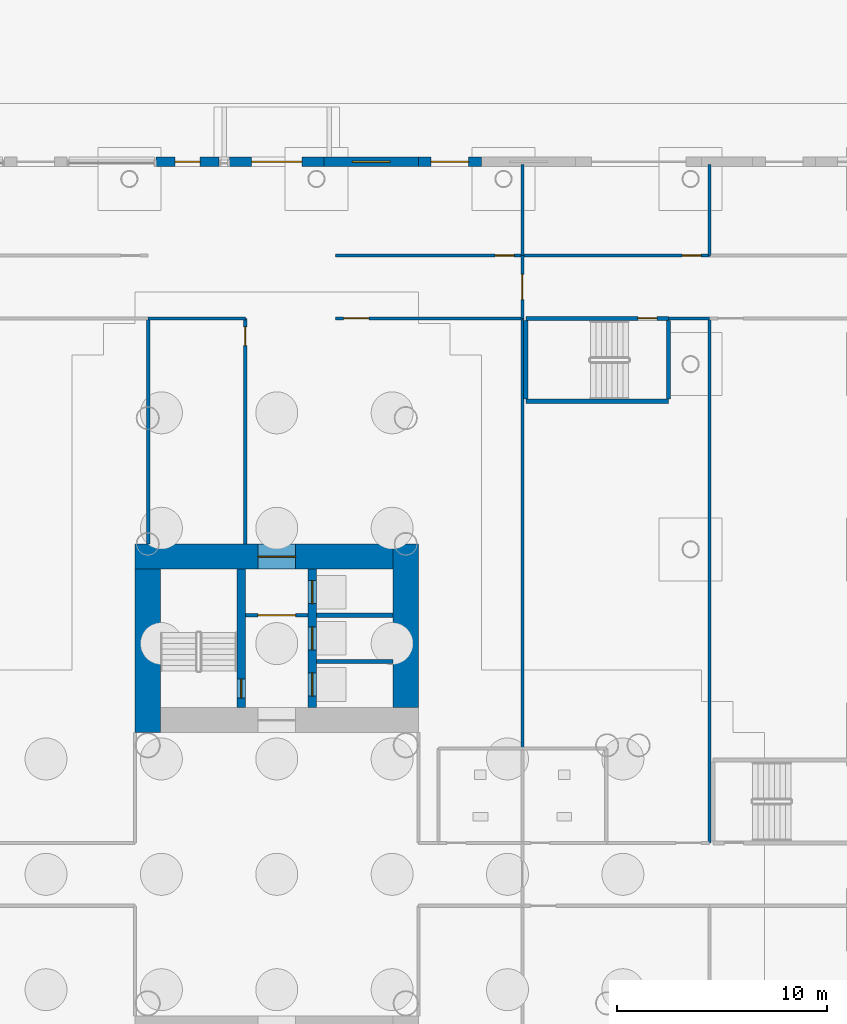
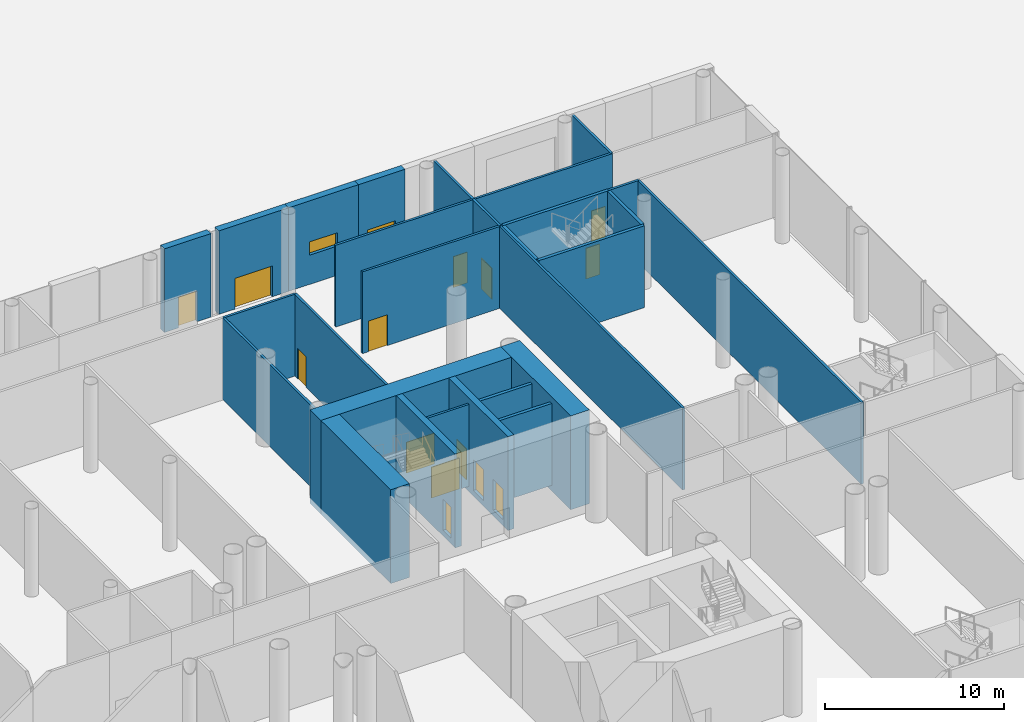
# One storey, part 36 of 75: 28 walls, 15 doors, 1 window, 16 openings.
"""IFC4 building model written with IfcOpenShell, lengths in metres."""

from ifc_helpers import new_model, si_unit, direction, frame, frame_2d, origin, place, context, subcontext, project, spatial, rectangle, extrude, material, layer, layer_set, type_object, element, fill, save


model = new_model("IFC4")

# Units and contexts
model_context = context("Model", 3, precision=1e-05, world=origin(), true_north=direction((0.0, 1.0)))
body_context = subcontext(model_context, "Body", "Model", "MODEL_VIEW")
ifc_project = project(units=[si_unit("LENGTHUNIT", "METRE"), si_unit("AREAUNIT", "SQUARE_METRE"), si_unit("VOLUMEUNIT", "CUBIC_METRE"), si_unit("PLANEANGLEUNIT", "RADIAN"), si_unit("MASSUNIT", "GRAM", prefix="KILO")], contexts=[model_context])

# Site, building, storey
site_placement = place(None, origin())
site = spatial("IfcSite", under=ifc_project, at=site_placement, CompositionType="ELEMENT")
building_placement = place(site_placement, origin())
building = spatial("IfcBuilding", under=site, at=building_placement, Name="Ipe Terrace Towers", CompositionType="ELEMENT")
storey_placement = place(building_placement, origin())
storey = spatial("IfcBuildingStorey", under=building, at=storey_placement, Name="L00", CompositionType="ELEMENT", Elevation=0.0)

# Wall, opening, door
ifc_material_1 = material(Name="Gypsum board partition", Category="plasterboard")
ifc_layer_1 = layer(ifc_material_1, 0.14990234375)
ifc_layer_set_1 = layer_set([ifc_layer_1], Name="Gypsum board partition 150 mm")
wall_type_1 = type_object("IfcWallType", Name="Gypsum board partition 150 mm", PredefinedType="PARTITIONING", material=ifc_layer_set_1)
wall_1_placement = place(storey_placement, frame((37.5, 12.35009765625, 0.0), z_axis=(0.0, 0.0, 1.0), x_axis=(-1.0, 0.0, 0.0)))
wall_1 = element("IfcWall", 1, at=wall_1_placement, inside=storey, type_object=wall_type_1, Name="Gypsum board partition T2 L00 t2c1-lobby-wall", PredefinedType="PARTITIONING", context=body_context, shape_type="SweptSolid", body=[
    extrude(rectangle(XDim=3.0, YDim=0.14990234375, at=frame_2d((1.5, 0.0))), origin(), (0.0, 0.0, 1.0), 5.580078125),
])
opening_1_placement = place(wall_1_placement, frame((0.60009765625, 0.0, 0.0)))
opening_1 = element("IfcOpeningElement", 2, at=opening_1_placement, cuts=wall_1, Name="Opening T2C1-VD", PredefinedType="OPENING", context=body_context, shape_type="SweptSolid", body=[
    extrude(rectangle(XDim=1.800048828125, YDim=2.10009765625, at=frame_2d((0.89990234375, 1.050048828125))), frame((0.0, 0.0849609375, 0.0), z_axis=(0.0, -1.0, 0.0), x_axis=(1.0, 0.0, 0.0)), (0.0, 0.0, 1.0), 0.169921875),
])
ifc_material_2 = material(Name="Fire-rated timber door leaf", Category="wood")
door_type_1 = type_object("IfcDoorType", Name="Lobby door 1800 x 2100 FD60", OperationType="NOTDEFINED", PredefinedType="DOOR", material=ifc_material_2)
door_1_placement = place(opening_1_placement, origin())
door_1 = element("IfcDoor", 3, at=door_1_placement, inside=storey, type_object=door_type_1, Name="Lobby door T2C1-VD", OperationType="SINGLE_SWING_LEFT", OverallHeight=2.10009765625, OverallWidth=1.800048828125, PredefinedType="DOOR", context=body_context, shape_type="SweptSolid", body=[
    extrude(rectangle(XDim=1.800048828125, YDim=2.10009765625, at=frame_2d((0.89990234375, 1.050048828125))), frame((0.0, 0.02490234375, 0.0), z_axis=(0.0, -1.0, 0.0), x_axis=(1.0, 0.0, 0.0)), (0.0, 0.0, 1.0), 0.050048828125),
])
fill(opening_1, door_1)

# Wall
wall_2_placement = place(storey_placement, frame((29.8701171875, 26.5, 0.0), z_axis=(0.0, 0.0, 1.0), x_axis=(0.0, -1.0, 0.0)))
element("IfcWall", 4, at=wall_2_placement, inside=storey, type_object=wall_type_1, Name="Gypsum board partition T2 L00 pd-r41-r46-w37", PredefinedType="PARTITIONING", context=body_context, shape_type="SweptSolid", body=[
    extrude(rectangle(XDim=10.75, YDim=0.14990234375, at=frame_2d((5.375, 0.0))), origin(), (0.0, 0.0, 1.0), 5.580078125),
])

# Wall, opening, door
wall_3_placement = place(storey_placement, frame((34.5, 26.5, 0.0), z_axis=(0.0, 0.0, 1.0), x_axis=(0.0, -1.0, 0.0)))
wall_3 = element("IfcWall", 5, at=wall_3_placement, inside=storey, type_object=wall_type_1, Name="Gypsum board partition T2 L00 pd-r46-w45", PredefinedType="PARTITIONING", context=body_context, shape_type="SweptSolid", body=[
    extrude(rectangle(XDim=10.75, YDim=0.14990234375, at=frame_2d((5.375, 0.0))), origin(), (0.0, 0.0, 1.0), 5.580078125),
])
opening_2_placement = place(wall_3_placement, frame((0.39990234375, 0.0, 0.0)))
opening_2 = element("IfcOpeningElement", 6, at=opening_2_placement, cuts=wall_3, Name="Opening PD-L00-r46", PredefinedType="OPENING", context=body_context, shape_type="SweptSolid", body=[
    extrude(rectangle(XDim=0.89990234375, YDim=2.10009765625, at=frame_2d((0.449951171875, 1.050048828125))), frame((0.0, 0.0849609375, 0.0), z_axis=(0.0, -1.0, 0.0), x_axis=(1.0, 0.0, 0.0)), (0.0, 0.0, 1.0), 0.169921875),
])
ifc_material_3 = material(Name="Fire-rated timber door leaf", Category="wood")
door_type_2 = type_object("IfcDoorType", Name="Lounge door 900 x 2100 FD30S", OperationType="NOTDEFINED", PredefinedType="DOOR", material=ifc_material_3)
door_2_placement = place(opening_2_placement, origin())
door_2 = element("IfcDoor", 7, at=door_2_placement, inside=storey, type_object=door_type_2, Name="Lounge door PD-L00-r46", OperationType="SINGLE_SWING_RIGHT", OverallHeight=2.10009765625, OverallWidth=0.89990234375, PredefinedType="DOOR", context=body_context, shape_type="SweptSolid", body=[
    extrude(rectangle(XDim=0.89990234375, YDim=2.10009765625, at=frame_2d((0.449951171875, 1.050048828125))), frame((0.0, 0.02490234375, 0.0), z_axis=(0.0, -1.0, 0.0), x_axis=(1.0, 0.0, 0.0)), (0.0, 0.0, 1.0), 0.050048828125),
])
fill(opening_2, door_2)

# Wall
wall_4_placement = place(storey_placement, frame((29.8701171875, 26.5, 0.0), z_axis=(0.0, 0.0, 1.0), x_axis=(1.0, 0.0, 0.0)))
element("IfcWall", 8, at=wall_4_placement, inside=storey, type_object=wall_type_1, Name="Gypsum board partition T2 L00 pd-r46-w46", PredefinedType="PARTITIONING", context=body_context, shape_type="SweptSolid", body=[
    extrude(rectangle(XDim=4.6298828125, YDim=0.14990234375, at=frame_2d((2.31494140625, 0.0))), origin(), (0.0, 0.0, 1.0), 5.580078125),
])

# Wall, opening, door
wall_5_placement = place(storey_placement, frame((47.7099609375, 29.5, 0.0), z_axis=(0.0, 0.0, 1.0), x_axis=(-1.0, 0.0, 0.0)))
wall_5 = element("IfcWall", 9, at=wall_5_placement, inside=storey, type_object=wall_type_1, Name="Gypsum board partition T2 L00 pd-r48-w49", PredefinedType="PARTITIONING", context=body_context, shape_type="SweptSolid", body=[
    extrude(rectangle(XDim=8.919921875, YDim=0.14990234375, at=frame_2d((4.4599609375, 0.0))), origin(), (0.0, 0.0, 1.0), 5.580078125),
])
opening_3_placement = place(wall_5_placement, frame((0.39990234375, 0.0, 0.0)))
opening_3 = element("IfcOpeningElement", 10, at=opening_3_placement, cuts=wall_5, Name="Opening PD-L00-r48", PredefinedType="OPENING", context=body_context, shape_type="SweptSolid", body=[
    extrude(rectangle(XDim=0.89990234375, YDim=2.10009765625, at=frame_2d((0.449951171875, 1.050048828125))), frame((0.0, 0.0849609375, 0.0), z_axis=(0.0, -1.0, 0.0), x_axis=(1.0, 0.0, 0.0)), (0.0, 0.0, 1.0), 0.169921875),
])
door_3_placement = place(opening_3_placement, origin())
door_3 = element("IfcDoor", 11, at=door_3_placement, inside=storey, type_object=door_type_2, Name="Lounge door PD-L00-r48", OperationType="SINGLE_SWING_RIGHT", OverallHeight=2.10009765625, OverallWidth=0.89990234375, PredefinedType="DOOR", context=body_context, shape_type="SweptSolid", body=[
    extrude(rectangle(XDim=0.89990234375, YDim=2.10009765625, at=frame_2d((0.449951171875, 1.050048828125))), frame((0.0, 0.02490234375, 0.0), z_axis=(0.0, -1.0, 0.0), x_axis=(1.0, 0.0, 0.0)), (0.0, 0.0, 1.0), 0.050048828125),
])
fill(opening_3, door_3)

# Wall
wall_6_placement = place(storey_placement, frame((47.7099609375, 33.85009765625, 0.0), z_axis=(0.0, 0.0, 1.0), x_axis=(0.0, -1.0, 0.0)))
element("IfcWall", 12, at=wall_6_placement, inside=storey, type_object=wall_type_1, Name="Gypsum board partition T2 L00 pd-r48-r52-w50", PredefinedType="PARTITIONING", context=body_context, shape_type="SweptSolid", body=[
    extrude(rectangle(XDim=4.35009765625, YDim=0.14990234375, at=frame_2d((2.175048828125, 0.0))), origin(), (0.0, 0.0, 1.0), 5.580078125),
])

# Wall, opening, door
wall_7_placement = place(storey_placement, frame((38.7900390625, 26.5, 0.0), z_axis=(0.0, 0.0, 1.0), x_axis=(1.0, 0.0, 0.0)))
wall_7 = element("IfcWall", 13, at=wall_7_placement, inside=storey, type_object=wall_type_1, Name="Gypsum board partition T2 L00 pd-r49-w53", PredefinedType="PARTITIONING", context=body_context, shape_type="SweptSolid", body=[
    extrude(rectangle(XDim=8.919921875, YDim=0.14990234375, at=frame_2d((4.4599609375, 0.0))), origin(), (0.0, 0.0, 1.0), 5.580078125),
])
opening_4_placement = place(wall_7_placement, frame((0.39990234375, 0.0, 0.0)))
opening_4 = element("IfcOpeningElement", 14, at=opening_4_placement, cuts=wall_7, Name="Opening PD-L00-r49", PredefinedType="OPENING", context=body_context, shape_type="SweptSolid", body=[
    extrude(rectangle(XDim=1.199951171875, YDim=2.10009765625, at=frame_2d((0.60009765625, 1.050048828125))), frame((0.0, 0.0849609375, 0.0), z_axis=(0.0, -1.0, 0.0), x_axis=(1.0, 0.0, 0.0)), (0.0, 0.0, 1.0), 0.169921875),
])
ifc_material_4 = material(Name="Fire-rated timber door leaf", Category="wood")
door_type_3 = type_object("IfcDoorType", Name="Lounge door 1200 x 2100 FD30S", OperationType="NOTDEFINED", PredefinedType="DOOR", material=ifc_material_4)
door_4_placement = place(opening_4_placement, origin())
door_4 = element("IfcDoor", 15, at=door_4_placement, inside=storey, type_object=door_type_3, Name="Lounge door PD-L00-r49", OperationType="SINGLE_SWING_RIGHT", OverallHeight=2.10009765625, OverallWidth=1.199951171875, PredefinedType="DOOR", context=body_context, shape_type="SweptSolid", body=[
    extrude(rectangle(XDim=1.199951171875, YDim=2.10009765625, at=frame_2d((0.60009765625, 1.050048828125))), frame((0.0, 0.02490234375, 0.0), z_axis=(0.0, -1.0, 0.0), x_axis=(1.0, 0.0, 0.0)), (0.0, 0.0, 1.0), 0.050048828125),
])
fill(opening_4, door_4)

# Wall
wall_8_placement = place(storey_placement, frame((47.7099609375, 26.5, 0.0), z_axis=(0.0, 0.0, 1.0), x_axis=(0.0, -1.0, 0.0)))
element("IfcWall", 16, at=wall_8_placement, inside=storey, type_object=wall_type_1, Name="Gypsum board partition T2 L00 pd-r49-r54-w54", PredefinedType="PARTITIONING", context=body_context, shape_type="SweptSolid", body=[
    extrude(rectangle(XDim=20.5, YDim=0.14990234375, at=frame_2d((10.25, 0.0))), origin(), (0.0, 0.0, 1.0), 5.580078125),
])

# Wall, opening, door
wall_9_placement = place(storey_placement, frame((56.6298828125, 29.5, 0.0), z_axis=(0.0, 0.0, 1.0), x_axis=(-1.0, 0.0, 0.0)))
wall_9 = element("IfcWall", 17, at=wall_9_placement, inside=storey, type_object=wall_type_1, Name="Gypsum board partition T2 L00 pd-r52-w61", PredefinedType="PARTITIONING", context=body_context, shape_type="SweptSolid", body=[
    extrude(rectangle(XDim=8.919921875, YDim=0.14990234375, at=frame_2d((4.4599609375, 0.0))), origin(), (0.0, 0.0, 1.0), 5.580078125),
])
opening_5_placement = place(wall_9_placement, frame((0.39990234375, 0.0, 0.0)))
opening_5 = element("IfcOpeningElement", 18, at=opening_5_placement, cuts=wall_9, Name="Opening PD-L00-r52", PredefinedType="OPENING", context=body_context, shape_type="SweptSolid", body=[
    extrude(rectangle(XDim=0.89990234375, YDim=2.10009765625, at=frame_2d((0.449951171875, 1.050048828125))), frame((0.0, 0.0849609375, 0.0), z_axis=(0.0, -1.0, 0.0), x_axis=(1.0, 0.0, 0.0)), (0.0, 0.0, 1.0), 0.169921875),
])
door_5_placement = place(opening_5_placement, origin())
door_5 = element("IfcDoor", 19, at=door_5_placement, inside=storey, type_object=door_type_2, Name="Lounge door PD-L00-r52", OperationType="SINGLE_SWING_RIGHT", OverallHeight=2.10009765625, OverallWidth=0.89990234375, PredefinedType="DOOR", context=body_context, shape_type="SweptSolid", body=[
    extrude(rectangle(XDim=0.89990234375, YDim=2.10009765625, at=frame_2d((0.449951171875, 1.050048828125))), frame((0.0, 0.02490234375, 0.0), z_axis=(0.0, -1.0, 0.0), x_axis=(1.0, 0.0, 0.0)), (0.0, 0.0, 1.0), 0.050048828125),
])
fill(opening_5, door_5)

# Walls
wall_10_placement = place(storey_placement, frame((56.6298828125, 33.85009765625, 0.0), z_axis=(0.0, 0.0, 1.0), x_axis=(0.0, -1.0, 0.0)))
element("IfcWall", 20, at=wall_10_placement, inside=storey, type_object=wall_type_1, Name="Gypsum board partition T2 L00 pd-r52-r57-w62", PredefinedType="PARTITIONING", context=body_context, shape_type="SweptSolid", body=[
    extrude(rectangle(XDim=4.35009765625, YDim=0.14990234375, at=frame_2d((2.175048828125, 0.0))), origin(), (0.0, 0.0, 1.0), 5.580078125),
])
wall_11_placement = place(storey_placement, frame((54.669921875, 26.5, 0.0), z_axis=(0.0, 0.0, 1.0), x_axis=(1.0, 0.0, 0.0)))
element("IfcWall", 21, at=wall_11_placement, inside=storey, type_object=wall_type_1, Name="Gypsum board partition T2 L00 pd-r54-w66", PredefinedType="PARTITIONING", context=body_context, shape_type="SweptSolid", body=[
    extrude(rectangle(XDim=1.9599609375, YDim=0.14990234375, at=frame_2d((0.97998046875, 0.0))), origin(), (0.0, 0.0, 1.0), 5.580078125),
])
wall_12_placement = place(storey_placement, frame((56.6298828125, 26.5, 0.0), z_axis=(0.0, 0.0, 1.0), x_axis=(0.0, -1.0, 0.0)))
element("IfcWall", 22, at=wall_12_placement, inside=storey, type_object=wall_type_1, Name="Gypsum board partition T2 L00 pd-r54-r58-w68", PredefinedType="PARTITIONING", context=body_context, shape_type="SweptSolid", body=[
    extrude(rectangle(XDim=25.0, YDim=0.14990234375, at=frame_2d((12.5, 0.0))), origin(), (0.0, 0.0, 1.0), 5.580078125),
])

# Wall, opening, door
wall_13_placement = place(storey_placement, frame((47.7099609375, 26.5, 0.0), z_axis=(0.0, 0.0, 1.0), x_axis=(0.0, 1.0, 0.0)))
wall_13 = element("IfcWall", 23, at=wall_13_placement, inside=storey, type_object=wall_type_1, Name="Gypsum board partition T2 L00 pd-xp3", PredefinedType="PARTITIONING", context=body_context, shape_type="SweptSolid", body=[
    extrude(rectangle(XDim=3.0, YDim=0.14990234375, at=frame_2d((1.5, 0.0))), origin(), (0.0, 0.0, 1.0), 5.580078125),
])
opening_6_placement = place(wall_13_placement, frame((0.89990234375, 0.0, 0.0)))
opening_6 = element("IfcOpeningElement", 24, at=opening_6_placement, cuts=wall_13, Name="Opening PD-L00-XP3", PredefinedType="OPENING", context=body_context, shape_type="SweptSolid", body=[
    extrude(rectangle(XDim=1.199951171875, YDim=2.10009765625, at=frame_2d((0.60009765625, 1.050048828125))), frame((0.0, 0.0849609375, 0.0), z_axis=(0.0, -1.0, 0.0), x_axis=(1.0, 0.0, 0.0)), (0.0, 0.0, 1.0), 0.169921875),
])
ifc_material_5 = material(Name="Fire-rated timber door leaf", Category="wood")
door_type_4 = type_object("IfcDoorType", Name="Fire door 1200 x 2100 FD60", OperationType="NOTDEFINED", PredefinedType="DOOR", material=ifc_material_5)
door_6_placement = place(opening_6_placement, origin())
door_6 = element("IfcDoor", 25, at=door_6_placement, inside=storey, type_object=door_type_4, Name="Fire door PD-L00-XP3", OperationType="SINGLE_SWING_LEFT", OverallHeight=2.10009765625, OverallWidth=1.199951171875, PredefinedType="DOOR", context=body_context, shape_type="SweptSolid", body=[
    extrude(rectangle(XDim=1.199951171875, YDim=2.10009765625, at=frame_2d((0.60009765625, 1.050048828125))), frame((0.0, 0.02490234375, 0.0), z_axis=(0.0, -1.0, 0.0), x_axis=(1.0, 0.0, 0.0)), (0.0, 0.0, 1.0), 0.050048828125),
])
fill(opening_6, door_6)

# Walls
ifc_material_6 = material(Name="Gypsum board party wall", Category="plasterboard")
ifc_layer_2 = layer(ifc_material_6, 0.199951171875)
ifc_layer_set_2 = layer_set([ifc_layer_2], Name="Gypsum board party wall 200 mm")
wall_type_2 = type_object("IfcWallType", Name="Gypsum board party wall 200 mm", PredefinedType="SOLIDWALL", material=ifc_layer_set_2)
for number, where, z_axis, x_axis, name in (
    (26, (41.550048828125, 10.14990234375, 0.0), (0.0, 0.0, 1.0), (-1.0, 0.0, 0.0), "Gypsum board party wall T2 L00 t2c1-shaft-div1"),
    (27, (41.550048828125, 12.35009765625, 0.0), (0.0, 0.0, 1.0), (-1.0, 0.0, 0.0), "Gypsum board party wall T2 L00 t2c1-shaft-div2"),
):
    element("IfcWall", number, at=place(storey_placement, frame(where, z_axis=z_axis, x_axis=x_axis)), inside=storey, type_object=wall_type_2, Name=name, PredefinedType="SOLIDWALL", context=body_context, shape_type="SweptSolid", body=[
        extrude(rectangle(XDim=3.650146484375, YDim=0.199951171875, at=frame_2d((1.8251953125, 0.0))), origin(), (0.0, 0.0, 1.0), 5.580078125),
    ])

# Wall, opening, door
ifc_material_7 = material(Name="Concrete C40/50 with buff precast cladding", Category="concrete")
ifc_layer_3 = layer(ifc_material_7, 0.43994140625)
ifc_layer_set_3 = layer_set([ifc_layer_3], Name="PODIUM CLADDING WALL 440")
wall_type_3 = type_object("IfcWallType", Name="PODIUM CLADDING WALL 440", PredefinedType="STANDARD", material=ifc_layer_set_3)
wall_14_placement = place(storey_placement, frame((45.75, 33.969970703125, 0.0), z_axis=(0.0, 0.0, 1.0), x_axis=(-1.0, 0.0, 0.0)))
wall_14 = element("IfcWall", 28, at=wall_14_placement, inside=storey, type_object=wall_type_3, Name="POD-W-L00-01f wall", PredefinedType="STANDARD", context=body_context, shape_type="SweptSolid", body=[
    extrude(rectangle(XDim=3.0, YDim=0.43994140625, at=frame_2d((1.5, 0.0))), origin(), (0.0, 0.0, 1.0), 5.699951171875),
])
opening_7_placement = place(wall_14_placement, frame((0.60009765625, 0.0, 0.0)))
opening_7 = element("IfcOpeningElement", 29, at=opening_7_placement, cuts=wall_14, Name="Opening POD-D-L00-04", PredefinedType="OPENING", context=body_context, shape_type="SweptSolid", body=[
    extrude(rectangle(XDim=1.800048828125, YDim=2.39990234375, at=frame_2d((0.89990234375, 1.199951171875))), frame((0.0, 0.22998046875, 0.0), z_axis=(0.0, -1.0, 0.0), x_axis=(1.0, 0.0, 0.0)), (0.0, 0.0, 1.0), 0.4599609375),
])
ifc_material_8 = material(Name="Steel S235 louvred plant door", Category="steel")
door_type_5 = type_object("IfcDoorType", Name="PLANT DOUBLE DOOR 1800 x 2400", OperationType="DOUBLE_DOOR_DOUBLE_SWING", PredefinedType="DOOR", material=ifc_material_8)
door_7_placement = place(opening_7_placement, origin())
door_7 = element("IfcDoor", 30, at=door_7_placement, inside=storey, type_object=door_type_5, Name="DP1 plant room door", OperationType="DOUBLE_DOOR_DOUBLE_SWING", OverallHeight=2.39990234375, OverallWidth=1.800048828125, PredefinedType="DOOR", context=body_context, shape_type="SweptSolid", body=[
    extrude(rectangle(XDim=1.800048828125, YDim=2.39990234375, at=frame_2d((0.89990234375, 1.199951171875))), frame((0.0, 0.02490234375, 0.0), z_axis=(0.0, -1.0, 0.0), x_axis=(1.0, 0.0, 0.0)), (0.0, 0.0, 1.0), 0.050048828125),
])
fill(opening_7, door_7)

# Wall, opening, window
wall_15_placement = place(storey_placement, frame((42.75, 33.969970703125, 0.0), z_axis=(0.0, 0.0, 1.0), x_axis=(-1.0, 0.0, 0.0)))
wall_15 = element("IfcWall", 31, at=wall_15_placement, inside=storey, type_object=wall_type_3, Name="POD-W-L00-01g wall", PredefinedType="STANDARD", context=body_context, shape_type="SweptSolid", body=[
    extrude(rectangle(XDim=4.5, YDim=0.43994140625, at=frame_2d((2.25, 0.0))), origin(), (0.0, 0.0, 1.0), 5.699951171875),
])
opening_8_placement = place(wall_15_placement, frame((1.35009765625, 0.0, 2.0)))
opening_8 = element("IfcOpeningElement", 32, at=opening_8_placement, cuts=wall_15, Name="Opening POD-W-04-L00-225", PredefinedType="OPENING", context=body_context, shape_type="SweptSolid", body=[
    extrude(rectangle(XDim=1.800048828125, YDim=0.89990234375, at=frame_2d((0.89990234375, 0.449951171875))), frame((0.0, 0.22998046875, 0.0), z_axis=(0.0, -1.0, 0.0), x_axis=(1.0, 0.0, 0.0)), (0.0, 0.0, 1.0), 0.4599609375),
])
ifc_material_9 = material(Name="Aluminium alloy 6063-T6 louvre", Category="aluminium")
window_type = type_object("IfcWindowType", Name="LOUVRE WINDOW 1800 x 900", PartitioningType="SINGLE_PANEL", PredefinedType="WINDOW", material=ifc_material_9)
window_placement = place(opening_8_placement, origin())
window = element("IfcWindow", 33, at=window_placement, inside=storey, type_object=window_type, Name="W-04 window", OverallHeight=0.89990234375, OverallWidth=1.800048828125, PartitioningType="SINGLE_PANEL", PredefinedType="WINDOW", context=body_context, shape_type="SweptSolid", body=[
    extrude(rectangle(XDim=1.800048828125, YDim=0.89990234375, at=frame_2d((0.89990234375, 0.449951171875))), frame((0.0, 0.030029296875, 0.0), z_axis=(0.0, -1.0, 0.0), x_axis=(1.0, 0.0, 0.0)), (0.0, 0.0, 1.0), 0.06005859375),
])
fill(opening_8, window)

# Wall, opening, door
wall_16_placement = place(storey_placement, frame((38.25, 33.969970703125, 0.0), z_axis=(0.0, 0.0, 1.0), x_axis=(-1.0, 0.0, 0.0)))
wall_16 = element("IfcWall", 34, at=wall_16_placement, inside=storey, type_object=wall_type_3, Name="POD-W-L00-01h wall", PredefinedType="STANDARD", context=body_context, shape_type="SweptSolid", body=[
    extrude(rectangle(XDim=4.5, YDim=0.43994140625, at=frame_2d((2.25, 0.0))), origin(), (0.0, 0.0, 1.0), 5.699951171875),
])
opening_9_placement = place(wall_16_placement, frame((1.050048828125, 0.0, 0.0)))
opening_9 = element("IfcOpeningElement", 35, at=opening_9_placement, cuts=wall_16, Name="Opening POD-D-L00-05", PredefinedType="OPENING", context=body_context, shape_type="SweptSolid", body=[
    extrude(rectangle(XDim=2.39990234375, YDim=2.10009765625, at=frame_2d((1.199951171875, 1.050048828125))), frame((0.0, 0.22998046875, 0.0), z_axis=(0.0, -1.0, 0.0), x_axis=(1.0, 0.0, 0.0)), (0.0, 0.0, 1.0), 0.4599609375),
])
ifc_material_10 = material(Name="Aluminium alloy 6063-T6 framed glazed door", Category="aluminium")
door_type_6 = type_object("IfcDoorType", Name="ENTRANCE DOOR 2400 DOUBLE", OperationType="DOUBLE_DOOR_DOUBLE_SWING", PredefinedType="DOOR", material=ifc_material_10)
door_8_placement = place(opening_9_placement, origin())
door_8 = element("IfcDoor", 36, at=door_8_placement, inside=storey, type_object=door_type_6, Name="DE1 entrance door", OperationType="DOUBLE_DOOR_DOUBLE_SWING", OverallHeight=2.10009765625, OverallWidth=2.39990234375, PredefinedType="DOOR", context=body_context, shape_type="SweptSolid", body=[
    extrude(rectangle(XDim=2.39990234375, YDim=2.10009765625, at=frame_2d((1.199951171875, 1.050048828125))), frame((0.0, 0.02490234375, 0.0), z_axis=(0.0, -1.0, 0.0), x_axis=(1.0, 0.0, 0.0)), (0.0, 0.0, 1.0), 0.050048828125),
])
fill(opening_9, door_8)

wall_17_placement = place(storey_placement, frame((33.25, 33.969970703125, 0.0), z_axis=(0.0, 0.0, 1.0), x_axis=(-1.0, 0.0, 0.0)))
wall_17 = element("IfcWall", 37, at=wall_17_placement, inside=storey, type_object=wall_type_3, Name="POD-W-L00-01j wall", PredefinedType="STANDARD", context=body_context, shape_type="SweptSolid", body=[
    extrude(rectangle(XDim=3.0, YDim=0.43994140625, at=frame_2d((1.5, 0.0))), origin(), (0.0, 0.0, 1.0), 5.699951171875),
])
opening_10_placement = place(wall_17_placement, frame((0.89990234375, 0.0, 0.0)))
opening_10 = element("IfcOpeningElement", 38, at=opening_10_placement, cuts=wall_17, Name="Opening POD-D-L00-06", PredefinedType="OPENING", context=body_context, shape_type="SweptSolid", body=[
    extrude(rectangle(XDim=1.199951171875, YDim=2.10009765625, at=frame_2d((0.60009765625, 1.050048828125))), frame((0.0, 0.22998046875, 0.0), z_axis=(0.0, -1.0, 0.0), x_axis=(1.0, 0.0, 0.0)), (0.0, 0.0, 1.0), 0.4599609375),
])
ifc_material_11 = material(Name="Aluminium alloy 6063-T6 framed glazed door", Category="aluminium")
door_type_7 = type_object("IfcDoorType", Name="ACCESSIBLE ENTRANCE DOOR 1200 x 2100", OperationType="SINGLE_SWING_LEFT", PredefinedType="DOOR", material=ifc_material_11)
door_9_placement = place(opening_10_placement, origin())
door_9 = element("IfcDoor", 39, at=door_9_placement, inside=storey, type_object=door_type_7, Name="DE2 accessible entrance door", OperationType="SINGLE_SWING_LEFT", OverallHeight=2.10009765625, OverallWidth=1.199951171875, PredefinedType="DOOR", context=body_context, shape_type="SweptSolid", body=[
    extrude(rectangle(XDim=1.199951171875, YDim=2.10009765625, at=frame_2d((0.60009765625, 1.050048828125))), frame((0.0, 0.02490234375, 0.0), z_axis=(0.0, -1.0, 0.0), x_axis=(1.0, 0.0, 0.0)), (0.0, 0.0, 1.0), 0.050048828125),
])
fill(opening_10, door_9)

# Wall
ifc_material_12 = material(Name="Concrete C60/75", Category="concrete")
ifc_layer_4 = layer(ifc_material_12, 1.199951171875)
ifc_layer_set_4 = layer_set([ifc_layer_4], Name="RW1200 CORE WALL 1200 C60-75")
wall_type_4 = type_object("IfcWallType", Name="RW1200 CORE WALL 1200 C60-75", PredefinedType="SHEAR", material=ifc_layer_set_4)
wall_18_placement = place(storey_placement, frame((42.14990234375, 7.949951171875, -0.39990234375), z_axis=(0.0, 0.0, 1.0), x_axis=(0.0, 1.0, 0.0)))
element("IfcWall", 40, at=wall_18_placement, inside=storey, type_object=wall_type_4, Name="Core wall T2-C1-P-W02", PredefinedType="SHEAR", context=body_context, shape_type="SweptSolid", body=[
    extrude(rectangle(XDim=7.800048828125, YDim=1.199951171875, at=frame_2d((3.89990234375, 0.0))), origin(), (0.0, 0.0, 1.0), 6.39990234375),
])

# Wall, opening, door
wall_19_placement = place(storey_placement, frame((41.550048828125, 15.14990234375, -0.39990234375), z_axis=(0.0, 0.0, 1.0), x_axis=(-1.0, 0.0, 0.0)))
wall_19 = element("IfcWall", 41, at=wall_19_placement, inside=storey, type_object=wall_type_4, Name="Core wall T2-C1-P-W03", PredefinedType="SHEAR", context=body_context, shape_type="SweptSolid", body=[
    extrude(rectangle(XDim=12.300048828125, YDim=1.199951171875, at=frame_2d((6.14990234375, 0.0))), origin(), (0.0, 0.0, 1.0), 6.39990234375),
])
opening_11_placement = place(wall_19_placement, frame((4.64990234375, 0.0, 0.39990234375)))
opening_11 = element("IfcOpeningElement", 42, at=opening_11_placement, cuts=wall_19, Name="Opening T2C1-FD", PredefinedType="OPENING", context=body_context, shape_type="SweptSolid", body=[
    extrude(rectangle(XDim=1.800048828125, YDim=2.10009765625, at=frame_2d((0.89990234375, 1.050048828125))), frame((0.0, 0.60986328125, 0.0), z_axis=(0.0, -1.0, 0.0), x_axis=(1.0, 0.0, 0.0)), (0.0, 0.0, 1.0), 1.219970703125),
])
ifc_material_13 = material(Name="Fire-rated timber door leaf", Category="wood")
door_type_8 = type_object("IfcDoorType", Name="Fire door 1800 x 2100 FD30S", OperationType="NOTDEFINED", PredefinedType="DOOR", material=ifc_material_13)
door_10_placement = place(opening_11_placement, origin())
door_10 = element("IfcDoor", 43, at=door_10_placement, inside=storey, type_object=door_type_8, Name="Fire door T2C1-FD", OperationType="SINGLE_SWING_LEFT", OverallHeight=2.10009765625, OverallWidth=1.800048828125, PredefinedType="DOOR", context=body_context, shape_type="SweptSolid", body=[
    extrude(rectangle(XDim=1.800048828125, YDim=2.10009765625, at=frame_2d((0.89990234375, 1.050048828125))), frame((0.0, 0.02490234375, 0.0), z_axis=(0.0, -1.0, 0.0), x_axis=(1.0, 0.0, 0.0)), (0.0, 0.0, 1.0), 0.050048828125),
])
fill(opening_11, door_10)

# Wall
wall_20_placement = place(storey_placement, frame((29.85009765625, 14.550048828125, -0.39990234375), z_axis=(0.0, 0.0, 1.0), x_axis=(0.0, -1.0, 0.0)))
element("IfcWall", 44, at=wall_20_placement, inside=storey, type_object=wall_type_4, Name="Core wall T2-C1-P-W04", PredefinedType="SHEAR", context=body_context, shape_type="SweptSolid", body=[
    extrude(rectangle(XDim=7.800048828125, YDim=1.199951171875, at=frame_2d((3.89990234375, 0.0))), origin(), (0.0, 0.0, 1.0), 6.39990234375),
])

# Wall, opening, door
ifc_material_14 = material(Name="Concrete C40/50", Category="concrete")
ifc_layer_5 = layer(ifc_material_14, 0.199951171875)
ifc_layer_set_5 = layer_set([ifc_layer_5], Name="RW200 PODIUM STAIR SHAFT WALL 200 C40-50")
wall_type_5 = type_object("IfcWallType", Name="RW200 PODIUM STAIR SHAFT WALL 200 C40-50", PredefinedType="SHEAR", material=ifc_layer_set_5)
wall_21_placement = place(storey_placement, frame((47.8701171875, 26.5, 0.0), z_axis=(0.0, 0.0, 1.0), x_axis=(1.0, 0.0, 0.0)))
wall_21 = element("IfcWall", 45, at=wall_21_placement, inside=storey, type_object=wall_type_5, Name="Stair shaft wall T2 L00 ps3-c", PredefinedType="SHEAR", context=body_context, shape_type="SweptSolid", body=[
    extrude(rectangle(XDim=6.7998046875, YDim=0.199951171875, at=frame_2d((3.39990234375, 0.0))), origin(), (0.0, 0.0, 1.0), 5.580078125),
])
opening_12_placement = place(wall_21_placement, frame((5.35009765625, 0.0, 0.0)))
opening_12 = element("IfcOpeningElement", 46, at=opening_12_placement, cuts=wall_21, Name="Opening PS3-SD", PredefinedType="OPENING", context=body_context, shape_type="SweptSolid", body=[
    extrude(rectangle(XDim=0.89990234375, YDim=2.10009765625, at=frame_2d((0.449951171875, 1.050048828125))), frame((0.0, 0.10986328125, 0.0), z_axis=(0.0, -1.0, 0.0), x_axis=(1.0, 0.0, 0.0)), (0.0, 0.0, 1.0), 0.219970703125),
])
ifc_material_15 = material(Name="Fire-rated timber door leaf", Category="wood")
door_type_9 = type_object("IfcDoorType", Name="Stair door 900 x 2100 FD60", OperationType="NOTDEFINED", PredefinedType="DOOR", material=ifc_material_15)
door_11_placement = place(opening_12_placement, origin())
door_11 = element("IfcDoor", 47, at=door_11_placement, inside=storey, type_object=door_type_9, Name="Stair door PS3-SD", OperationType="SINGLE_SWING_LEFT", OverallHeight=2.10009765625, OverallWidth=0.89990234375, PredefinedType="DOOR", context=body_context, shape_type="SweptSolid", body=[
    extrude(rectangle(XDim=0.89990234375, YDim=2.10009765625, at=frame_2d((0.449951171875, 1.050048828125))), frame((0.0, 0.02490234375, 0.0), z_axis=(0.0, -1.0, 0.0), x_axis=(1.0, 0.0, 0.0)), (0.0, 0.0, 1.0), 0.050048828125),
])
fill(opening_12, door_11)

# Walls
wall_22_placement = place(storey_placement, frame((47.8701171875, 22.550048828125, 0.0), z_axis=(0.0, 0.0, 1.0), x_axis=(1.0, 0.0, 0.0)))
element("IfcWall", 48, at=wall_22_placement, inside=storey, type_object=wall_type_5, Name="Stair shaft wall T2 L00 ps3-f", PredefinedType="SHEAR", context=body_context, shape_type="SweptSolid", body=[
    extrude(rectangle(XDim=6.7998046875, YDim=0.199951171875, at=frame_2d((3.39990234375, 0.0))), origin(), (0.0, 0.0, 1.0), 5.580078125),
])
for number, where, z_axis, x_axis, name in (
    (49, (47.8701171875, 22.64990234375, 0.0), (0.0, 0.0, 1.0), (0.0, 1.0, 0.0), "Stair shaft wall T2 L00 ps3-w"),
    (50, (54.669921875, 22.64990234375, 0.0), (0.0, 0.0, 1.0), (0.0, 1.0, 0.0), "Stair shaft wall T2 L00 ps3-e"),
):
    element("IfcWall", number, at=place(storey_placement, frame(where, z_axis=z_axis, x_axis=x_axis)), inside=storey, type_object=wall_type_5, Name=name, PredefinedType="SHEAR", context=body_context, shape_type="SweptSolid", body=[
        extrude(rectangle(XDim=3.75, YDim=0.199951171875, at=frame_2d((1.875, 0.0))), origin(), (0.0, 0.0, 1.0), 5.580078125),
    ])

# Wall, opening, door
ifc_material_16 = material(Name="Concrete C60/75", Category="concrete")
ifc_layer_6 = layer(ifc_material_16, 0.39990234375)
ifc_layer_set_6 = layer_set([ifc_layer_6], Name="RW400 CORE SPINE WALL 400 C60-75")
wall_type_6 = type_object("IfcWallType", Name="RW400 CORE SPINE WALL 400 C60-75", PredefinedType="SHEAR", material=ifc_layer_set_6)
wall_23_placement = place(storey_placement, frame((34.300048828125, 7.949951171875, -0.39990234375), z_axis=(0.0, 0.0, 1.0), x_axis=(0.0, 1.0, 0.0)))
wall_23 = element("IfcWall", 51, at=wall_23_placement, inside=storey, type_object=wall_type_6, Name="Core spine wall T2-C1-P-SW1", PredefinedType="SHEAR", context=body_context, shape_type="SweptSolid", body=[
    extrude(rectangle(XDim=6.60009765625, YDim=0.39990234375, at=frame_2d((3.300048828125, 0.0))), origin(), (0.0, 0.0, 1.0), 6.39990234375),
])
opening_13_placement = place(wall_23_placement, frame((0.449951171875, 0.0, 0.39990234375)))
opening_13 = element("IfcOpeningElement", 52, at=opening_13_placement, cuts=wall_23, Name="Opening T2C1-SD", PredefinedType="OPENING", context=body_context, shape_type="SweptSolid", body=[
    extrude(rectangle(XDim=0.89990234375, YDim=2.10009765625, at=frame_2d((0.449951171875, 1.050048828125))), frame((0.0, 0.2099609375, 0.0), z_axis=(0.0, -1.0, 0.0), x_axis=(1.0, 0.0, 0.0)), (0.0, 0.0, 1.0), 0.419921875),
])
door_12_placement = place(opening_13_placement, origin())
door_12 = element("IfcDoor", 53, at=door_12_placement, inside=storey, type_object=door_type_9, Name="Stair door T2C1-SD", OperationType="SINGLE_SWING_LEFT", OverallHeight=2.10009765625, OverallWidth=0.89990234375, PredefinedType="DOOR", context=body_context, shape_type="SweptSolid", body=[
    extrude(rectangle(XDim=0.89990234375, YDim=2.10009765625, at=frame_2d((0.449951171875, 1.050048828125))), frame((0.0, 0.02490234375, 0.0), z_axis=(0.0, -1.0, 0.0), x_axis=(1.0, 0.0, 0.0)), (0.0, 0.0, 1.0), 0.050048828125),
])
fill(opening_13, door_12)

# Wall, openings, doors
wall_24_placement = place(storey_placement, frame((37.699951171875, 7.949951171875, -0.39990234375), z_axis=(0.0, 0.0, 1.0), x_axis=(0.0, 1.0, 0.0)))
wall_24 = element("IfcWall", 54, at=wall_24_placement, inside=storey, type_object=wall_type_6, Name="Core spine wall T2-C1-P-SW2", PredefinedType="SHEAR", context=body_context, shape_type="SweptSolid", body=[
    extrude(rectangle(XDim=6.60009765625, YDim=0.39990234375, at=frame_2d((3.300048828125, 0.0))), origin(), (0.0, 0.0, 1.0), 6.39990234375),
])
opening_14_placement = place(wall_24_placement, frame((0.550048828125, 0.0, 0.39990234375)))
opening_14 = element("IfcOpeningElement", 55, at=opening_14_placement, cuts=wall_24, Name="Opening T2C1-LD1", PredefinedType="OPENING", context=body_context, shape_type="SweptSolid", body=[
    extrude(rectangle(XDim=1.10009765625, YDim=2.10009765625, at=frame_2d((0.550048828125, 1.050048828125))), frame((0.0, 0.2099609375, 0.0), z_axis=(0.0, -1.0, 0.0), x_axis=(1.0, 0.0, 0.0)), (0.0, 0.0, 1.0), 0.419921875),
])
opening_15_placement = place(wall_24_placement, frame((2.75, 0.0, 0.39990234375)))
opening_15 = element("IfcOpeningElement", 56, at=opening_15_placement, cuts=wall_24, Name="Opening T2C1-LD2", PredefinedType="OPENING", context=body_context, shape_type="SweptSolid", body=[
    extrude(rectangle(XDim=1.10009765625, YDim=2.10009765625, at=frame_2d((0.550048828125, 1.050048828125))), frame((0.0, 0.2099609375, 0.0), z_axis=(0.0, -1.0, 0.0), x_axis=(1.0, 0.0, 0.0)), (0.0, 0.0, 1.0), 0.419921875),
])
opening_16_placement = place(wall_24_placement, frame((4.949951171875, 0.0, 0.39990234375)))
opening_16 = element("IfcOpeningElement", 57, at=opening_16_placement, cuts=wall_24, Name="Opening T2C1-LD3", PredefinedType="OPENING", context=body_context, shape_type="SweptSolid", body=[
    extrude(rectangle(XDim=1.10009765625, YDim=2.10009765625, at=frame_2d((0.550048828125, 1.050048828125))), frame((0.0, 0.2099609375, 0.0), z_axis=(0.0, -1.0, 0.0), x_axis=(1.0, 0.0, 0.0)), (0.0, 0.0, 1.0), 0.419921875),
])
ifc_material_17 = material(Name="Fire-rated timber door leaf", Category="wood")
door_type_10 = type_object("IfcDoorType", Name="Sliding door 1100 x 2100 FD60", OperationType="SLIDING_TO_LEFT", PredefinedType="DOOR", material=ifc_material_17)
door_13_placement = place(opening_14_placement, origin())
door_13 = element("IfcDoor", 58, at=door_13_placement, inside=storey, type_object=door_type_10, Name="Sliding door T2C1-LD1", OperationType="SLIDING_TO_LEFT", OverallHeight=2.10009765625, OverallWidth=1.10009765625, PredefinedType="DOOR", context=body_context, shape_type="SweptSolid", body=[
    extrude(rectangle(XDim=1.10009765625, YDim=2.10009765625, at=frame_2d((0.550048828125, 1.050048828125))), frame((0.0, 0.02490234375, 0.0), z_axis=(0.0, -1.0, 0.0), x_axis=(1.0, 0.0, 0.0)), (0.0, 0.0, 1.0), 0.050048828125),
])
fill(opening_14, door_13)
door_14_placement = place(opening_15_placement, origin())
door_14 = element("IfcDoor", 59, at=door_14_placement, inside=storey, type_object=door_type_10, Name="Sliding door T2C1-LD2", OperationType="SLIDING_TO_LEFT", OverallHeight=2.10009765625, OverallWidth=1.10009765625, PredefinedType="DOOR", context=body_context, shape_type="SweptSolid", body=[
    extrude(rectangle(XDim=1.10009765625, YDim=2.10009765625, at=frame_2d((0.550048828125, 1.050048828125))), frame((0.0, 0.02490234375, 0.0), z_axis=(0.0, -1.0, 0.0), x_axis=(1.0, 0.0, 0.0)), (0.0, 0.0, 1.0), 0.050048828125),
])
fill(opening_15, door_14)
door_15_placement = place(opening_16_placement, origin())
door_15 = element("IfcDoor", 60, at=door_15_placement, inside=storey, type_object=door_type_10, Name="Sliding door T2C1-LD3", OperationType="SLIDING_TO_LEFT", OverallHeight=2.10009765625, OverallWidth=1.10009765625, PredefinedType="DOOR", context=body_context, shape_type="SweptSolid", body=[
    extrude(rectangle(XDim=1.10009765625, YDim=2.10009765625, at=frame_2d((0.550048828125, 1.050048828125))), frame((0.0, 0.02490234375, 0.0), z_axis=(0.0, -1.0, 0.0), x_axis=(1.0, 0.0, 0.0)), (0.0, 0.0, 1.0), 0.050048828125),
])
fill(opening_16, door_15)

save(model, "model.ifc")
